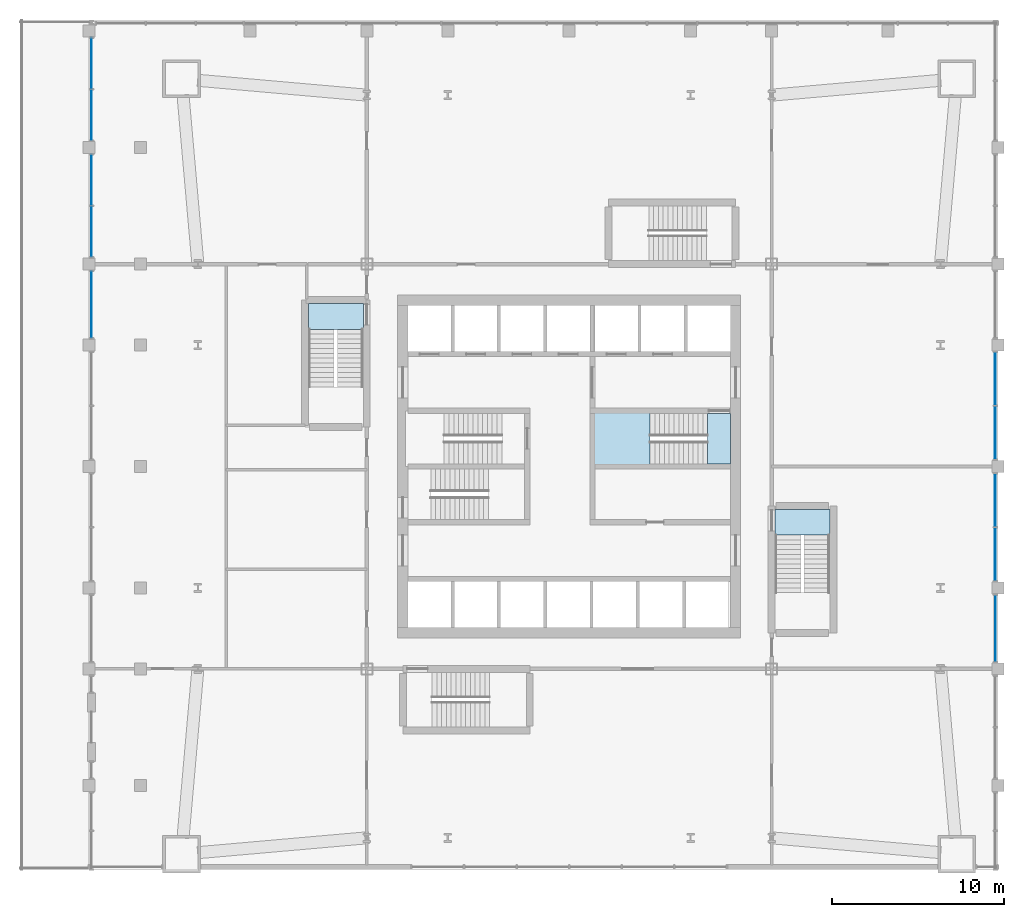
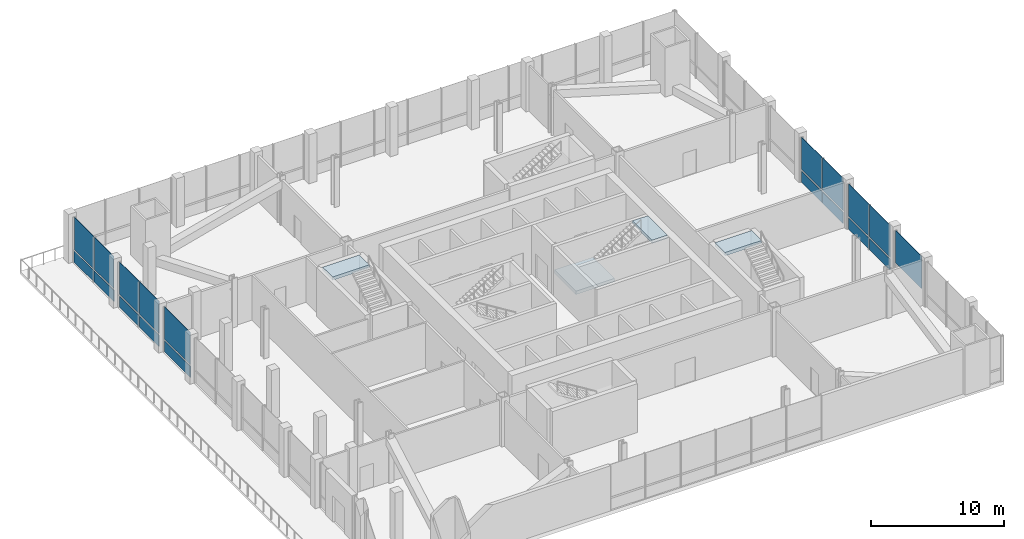
# One storey, part 9 of 15: 19 plates, 4 slabs, 9 elements without a shape of their own.
"""IFC4 building model written with IfcOpenShell, lengths in metres."""

from ifc_helpers import new_model, si_unit, direction, frame, origin, origin_2d, place, context, subcontext, project, spatial, polyline, rectangle, outline, extrude, material, layer, layer_set, type_object, element, aggregate, save


model = new_model("IFC4")

# Units and contexts
model_context = context("Model", 3, precision=1e-05, world=origin(), true_north=direction((0.0, 1.0)))
body_context = subcontext(model_context, "Body", "Model", "MODEL_VIEW")
ifc_project = project(units=[si_unit("LENGTHUNIT", "METRE"), si_unit("AREAUNIT", "SQUARE_METRE"), si_unit("VOLUMEUNIT", "CUBIC_METRE"), si_unit("PLANEANGLEUNIT", "RADIAN"), si_unit("MASSUNIT", "GRAM", prefix="KILO")], contexts=[model_context])

# Site, building, storey
site_placement = place(None, origin())
site = spatial("IfcSite", under=ifc_project, at=site_placement, CompositionType="ELEMENT")
building_placement = place(site_placement, origin())
building = spatial("IfcBuilding", under=site, at=building_placement, Name="Turquesa Mirador Hotel Tower", CompositionType="ELEMENT")
storey_placement = place(building_placement, frame((0.0, 0.0, 16.0)))
storey = spatial("IfcBuildingStorey", under=building, at=storey_placement, Name="L03", CompositionType="ELEMENT", Elevation=16.0)

# Curtain wall, plates
ifc_material_1 = material(Name="Aluminium extrusion", Category="aluminium")
curtain_wall_type = type_object("IfcCurtainWallType", Name="CW-3 PODIUM UPPER CURTAIN WALL", PredefinedType="USERDEFINED", material=ifc_material_1)
curtain_wall_1_placement = place(storey_placement, origin())
curtain_wall_1 = element("IfcCurtainWall", 1, at=curtain_wall_1_placement, inside=storey, type_object=curtain_wall_type, Name="CW-3 PODIUM UPPER CURTAIN WALL L03", ObjectType="CURTAIN WALL", PredefinedType="USERDEFINED")
ifc_material_2 = material(Name="Ceramic-printed spandrel glass on an insulated back pan", Category="glass")
ifc_layer_1 = layer(ifc_material_2, 0.050048828125)
ifc_layer_set_1 = layer_set([ifc_layer_1], Name="CW PANEL SPANDREL CERAMIC")
plate_type_1 = type_object("IfcPlateType", Name="CW PANEL SPANDREL CERAMIC", PredefinedType="CURTAIN_PANEL", material=ifc_layer_set_1)
plate_1_placement = place(storey_placement, frame((79.85009765625, 39.88232421875, 0.0), z_axis=(0.0, 0.0, 1.0), x_axis=(0.0, 1.0, 0.0)))
plate_1 = element("IfcPlate", 2, at=plate_1_placement, type_object=plate_type_1, Name="Panel", PredefinedType="CURTAIN_PANEL", context=body_context, shape_type="SweptSolid", body=[
    extrude(rectangle(XDim=3.090576171875, YDim=0.050048828125, at=origin_2d()), origin(), (0.0, 0.0, 1.0), 1.02490234375),
])
plate_2_placement = place(storey_placement, frame((79.85009765625, 43.037841796875, 0.0), z_axis=(0.0, 0.0, 1.0), x_axis=(0.0, 1.0, 0.0)))
plate_2 = element("IfcPlate", 3, at=plate_2_placement, type_object=plate_type_1, Name="Panel", PredefinedType="CURTAIN_PANEL", context=body_context, shape_type="SweptSolid", body=[
    extrude(rectangle(XDim=3.090576171875, YDim=0.050048828125, at=origin_2d()), origin(), (0.0, 0.0, 1.0), 1.02490234375),
])

curtain_wall_2_placement = place(storey_placement, origin())
curtain_wall_2 = element("IfcCurtainWall", 4, at=curtain_wall_2_placement, inside=storey, type_object=curtain_wall_type, Name="CW-3 PODIUM UPPER CURTAIN WALL L03", ObjectType="CURTAIN WALL", PredefinedType="USERDEFINED")
plate_3_placement = place(storey_placement, frame((79.85009765625, 46.962158203125, 0.0), z_axis=(0.0, 0.0, 1.0), x_axis=(0.0, 1.0, 0.0)))
plate_3 = element("IfcPlate", 5, at=plate_3_placement, type_object=plate_type_1, Name="Panel", PredefinedType="CURTAIN_PANEL", context=body_context, shape_type="SweptSolid", body=[
    extrude(rectangle(XDim=3.090576171875, YDim=0.050048828125, at=origin_2d()), origin(), (0.0, 0.0, 1.0), 1.02490234375),
])
plate_4_placement = place(storey_placement, frame((79.85009765625, 50.11767578125, 0.0), z_axis=(0.0, 0.0, 1.0), x_axis=(0.0, 1.0, 0.0)))
plate_4 = element("IfcPlate", 6, at=plate_4_placement, type_object=plate_type_1, Name="Panel", PredefinedType="CURTAIN_PANEL", context=body_context, shape_type="SweptSolid", body=[
    extrude(rectangle(XDim=3.090576171875, YDim=0.050048828125, at=origin_2d()), origin(), (0.0, 0.0, 1.0), 1.02490234375),
])

curtain_wall_3_placement = place(storey_placement, origin())
curtain_wall_3 = element("IfcCurtainWall", 7, at=curtain_wall_3_placement, inside=storey, type_object=curtain_wall_type, Name="CW-3 PODIUM UPPER CURTAIN WALL L03", ObjectType="CURTAIN WALL", PredefinedType="USERDEFINED")
plate_5_placement = place(storey_placement, frame((27.14990234375, 68.5078125, 0.0), z_axis=(0.0, 0.0, 1.0), x_axis=(0.0, -1.0, 0.0)))
plate_5 = element("IfcPlate", 8, at=plate_5_placement, type_object=plate_type_1, Name="Panel", PredefinedType="CURTAIN_PANEL", context=body_context, shape_type="SweptSolid", body=[
    extrude(rectangle(XDim=2.950439453125, YDim=0.050048828125, at=origin_2d()), origin(), (0.0, 0.0, 1.0), 1.02490234375),
])
plate_6_placement = place(storey_placement, frame((27.14990234375, 65.4921875, 0.0), z_axis=(0.0, 0.0, 1.0), x_axis=(0.0, -1.0, 0.0)))
plate_6 = element("IfcPlate", 9, at=plate_6_placement, type_object=plate_type_1, Name="Panel", PredefinedType="CURTAIN_PANEL", context=body_context, shape_type="SweptSolid", body=[
    extrude(rectangle(XDim=2.950439453125, YDim=0.050048828125, at=origin_2d()), origin(), (0.0, 0.0, 1.0), 1.02490234375),
])

curtain_wall_4_placement = place(storey_placement, origin())
curtain_wall_4 = element("IfcCurtainWall", 10, at=curtain_wall_4_placement, inside=storey, type_object=curtain_wall_type, Name="CW-3 PODIUM UPPER CURTAIN WALL L03", ObjectType="CURTAIN WALL", PredefinedType="USERDEFINED")
plate_7_placement = place(storey_placement, frame((27.14990234375, 61.707763671875, 0.0), z_axis=(0.0, 0.0, 1.0), x_axis=(0.0, -1.0, 0.0)))
plate_7 = element("IfcPlate", 11, at=plate_7_placement, type_object=plate_type_1, Name="Panel", PredefinedType="CURTAIN_PANEL", context=body_context, shape_type="SweptSolid", body=[
    extrude(rectangle(XDim=2.950439453125, YDim=0.050048828125, at=origin_2d()), origin(), (0.0, 0.0, 1.0), 1.02490234375),
])
plate_8_placement = place(storey_placement, frame((27.14990234375, 58.692138671875, 0.0), z_axis=(0.0, 0.0, 1.0), x_axis=(0.0, -1.0, 0.0)))
plate_8 = element("IfcPlate", 12, at=plate_8_placement, type_object=plate_type_1, Name="Panel", PredefinedType="CURTAIN_PANEL", context=body_context, shape_type="SweptSolid", body=[
    extrude(rectangle(XDim=2.950439453125, YDim=0.050048828125, at=origin_2d()), origin(), (0.0, 0.0, 1.0), 1.02490234375),
])

# Curtain wall, plate
curtain_wall_5_placement = place(storey_placement, origin())
curtain_wall_5 = element("IfcCurtainWall", 13, at=curtain_wall_5_placement, inside=storey, type_object=curtain_wall_type, Name="CW-3 PODIUM UPPER CURTAIN WALL L03", ObjectType="CURTAIN WALL", PredefinedType="USERDEFINED")
plate_9_placement = place(storey_placement, frame((27.14990234375, 54.43994140625, 0.0), z_axis=(0.0, 0.0, 1.0), x_axis=(0.0, -1.0, 0.0)))
plate_9 = element("IfcPlate", 14, at=plate_9_placement, type_object=plate_type_1, Name="Panel", PredefinedType="CURTAIN_PANEL", context=body_context, shape_type="SweptSolid", body=[
    extrude(rectangle(XDim=3.885986328125, YDim=0.050048828125, at=origin_2d()), origin(), (0.0, 0.0, 1.0), 1.02490234375),
])

curtain_wall_6_placement = place(storey_placement, origin())
curtain_wall_6 = element("IfcCurtainWall", 15, at=curtain_wall_6_placement, inside=storey, type_object=curtain_wall_type, Name="CW-3 PODIUM UPPER CURTAIN WALL L03", ObjectType="CURTAIN WALL", PredefinedType="USERDEFINED")
ifc_material_3 = material(Name="Ceramic-fritted laminated glass", Category="glass")
ifc_layer_2 = layer(ifc_material_3, 0.031982421875)
ifc_layer_set_2 = layer_set([ifc_layer_2], Name="CW PANEL VISION FRITTED")
plate_type_2 = type_object("IfcPlateType", Name="CW PANEL VISION FRITTED", PredefinedType="CURTAIN_PANEL", material=ifc_layer_set_2)
plate_10_placement = place(storey_placement, frame((79.85009765625, 35.56005859375, 1.175048828125), z_axis=(0.0, 0.0, 1.0), x_axis=(0.0, 1.0, 0.0)))
plate_10 = element("IfcPlate", 16, at=plate_10_placement, type_object=plate_type_2, Name="Panel", PredefinedType="CURTAIN_PANEL", context=body_context, shape_type="SweptSolid", body=[
    extrude(rectangle(XDim=3.885986328125, YDim=0.031982421875, at=origin_2d()), origin(), (0.0, 0.0, 1.0), 2.97509765625),
])
aggregate(curtain_wall_6, [plate_10])

# Plate
plate_11_placement = place(storey_placement, frame((79.85009765625, 39.88232421875, 1.175048828125), z_axis=(0.0, 0.0, 1.0), x_axis=(0.0, 1.0, 0.0)))
plate_11 = element("IfcPlate", 17, at=plate_11_placement, type_object=plate_type_2, Name="Panel", PredefinedType="CURTAIN_PANEL", context=body_context, shape_type="SweptSolid", body=[
    extrude(rectangle(XDim=3.090576171875, YDim=0.031982421875, at=origin_2d()), origin(), (0.0, 0.0, 1.0), 2.97509765625),
])

plate_12_placement = place(storey_placement, frame((79.85009765625, 43.037841796875, 1.175048828125), z_axis=(0.0, 0.0, 1.0), x_axis=(0.0, 1.0, 0.0)))
plate_12 = element("IfcPlate", 18, at=plate_12_placement, type_object=plate_type_2, Name="Panel", PredefinedType="CURTAIN_PANEL", context=body_context, shape_type="SweptSolid", body=[
    extrude(rectangle(XDim=3.090576171875, YDim=0.031982421875, at=origin_2d()), origin(), (0.0, 0.0, 1.0), 2.97509765625),
])

aggregate(curtain_wall_1, [plate_1, plate_11, plate_2, plate_12])

plate_13_placement = place(storey_placement, frame((79.85009765625, 46.962158203125, 1.175048828125), z_axis=(0.0, 0.0, 1.0), x_axis=(0.0, 1.0, 0.0)))
plate_13 = element("IfcPlate", 19, at=plate_13_placement, type_object=plate_type_2, Name="Panel", PredefinedType="CURTAIN_PANEL", context=body_context, shape_type="SweptSolid", body=[
    extrude(rectangle(XDim=3.090576171875, YDim=0.031982421875, at=origin_2d()), origin(), (0.0, 0.0, 1.0), 2.97509765625),
])

plate_14_placement = place(storey_placement, frame((79.85009765625, 50.11767578125, 1.175048828125), z_axis=(0.0, 0.0, 1.0), x_axis=(0.0, 1.0, 0.0)))
plate_14 = element("IfcPlate", 20, at=plate_14_placement, type_object=plate_type_2, Name="Panel", PredefinedType="CURTAIN_PANEL", context=body_context, shape_type="SweptSolid", body=[
    extrude(rectangle(XDim=3.090576171875, YDim=0.031982421875, at=origin_2d()), origin(), (0.0, 0.0, 1.0), 2.97509765625),
])

aggregate(curtain_wall_2, [plate_3, plate_13, plate_4, plate_14])

plate_15_placement = place(storey_placement, frame((27.14990234375, 68.5078125, 1.175048828125), z_axis=(0.0, 0.0, 1.0), x_axis=(0.0, -1.0, 0.0)))
plate_15 = element("IfcPlate", 21, at=plate_15_placement, type_object=plate_type_2, Name="Panel", PredefinedType="CURTAIN_PANEL", context=body_context, shape_type="SweptSolid", body=[
    extrude(rectangle(XDim=2.950439453125, YDim=0.031982421875, at=origin_2d()), origin(), (0.0, 0.0, 1.0), 2.97509765625),
])

plate_16_placement = place(storey_placement, frame((27.14990234375, 65.4921875, 1.175048828125), z_axis=(0.0, 0.0, 1.0), x_axis=(0.0, -1.0, 0.0)))
plate_16 = element("IfcPlate", 22, at=plate_16_placement, type_object=plate_type_2, Name="Panel", PredefinedType="CURTAIN_PANEL", context=body_context, shape_type="SweptSolid", body=[
    extrude(rectangle(XDim=2.950439453125, YDim=0.031982421875, at=origin_2d()), origin(), (0.0, 0.0, 1.0), 2.97509765625),
])

aggregate(curtain_wall_3, [plate_5, plate_15, plate_6, plate_16])

plate_17_placement = place(storey_placement, frame((27.14990234375, 61.707763671875, 1.175048828125), z_axis=(0.0, 0.0, 1.0), x_axis=(0.0, -1.0, 0.0)))
plate_17 = element("IfcPlate", 23, at=plate_17_placement, type_object=plate_type_2, Name="Panel", PredefinedType="CURTAIN_PANEL", context=body_context, shape_type="SweptSolid", body=[
    extrude(rectangle(XDim=2.950439453125, YDim=0.031982421875, at=origin_2d()), origin(), (0.0, 0.0, 1.0), 2.97509765625),
])

plate_18_placement = place(storey_placement, frame((27.14990234375, 58.692138671875, 1.175048828125), z_axis=(0.0, 0.0, 1.0), x_axis=(0.0, -1.0, 0.0)))
plate_18 = element("IfcPlate", 24, at=plate_18_placement, type_object=plate_type_2, Name="Panel", PredefinedType="CURTAIN_PANEL", context=body_context, shape_type="SweptSolid", body=[
    extrude(rectangle(XDim=2.950439453125, YDim=0.031982421875, at=origin_2d()), origin(), (0.0, 0.0, 1.0), 2.97509765625),
])

aggregate(curtain_wall_4, [plate_7, plate_17, plate_8, plate_18])

plate_19_placement = place(storey_placement, frame((27.14990234375, 54.43994140625, 1.175048828125), z_axis=(0.0, 0.0, 1.0), x_axis=(0.0, -1.0, 0.0)))
plate_19 = element("IfcPlate", 25, at=plate_19_placement, type_object=plate_type_2, Name="Panel", PredefinedType="CURTAIN_PANEL", context=body_context, shape_type="SweptSolid", body=[
    extrude(rectangle(XDim=3.885986328125, YDim=0.031982421875, at=origin_2d()), origin(), (0.0, 0.0, 1.0), 2.97509765625),
])

aggregate(curtain_wall_5, [plate_9, plate_19])

# Stair, slabs
ifc_material_4 = material(Name="Concrete C35/45", Category="concrete")
stair_type_1 = type_object("IfcStairType", Name="ESCAPE STAIR CORE", PredefinedType="HALF_TURN_STAIR", material=ifc_material_4)
stair_1_placement = place(storey_placement, origin())
stair_1 = element("IfcStair", 26, at=stair_1_placement, inside=storey, type_object=stair_type_1, Name="Stair ST3 L03 to L04", PredefinedType="HALF_TURN_STAIR")
ifc_material_5 = material(Name="Concrete C35/45", Category="concrete")
ifc_layer_3 = layer(ifc_material_5, 0.300048828125)
ifc_layer_set_3 = layer_set([ifc_layer_3], Name="STAIR LANDING 300")
slab_type = type_object("IfcSlabType", Name="STAIR LANDING 300", PredefinedType="LANDING", material=ifc_layer_set_3)
slab_1_placement = place(storey_placement, frame((0.0, 0.0, 1.949951171875)))
slab_1 = element("IfcSlab", 27, at=slab_1_placement, type_object=slab_type, Name="ST3 landing 1", PredefinedType="LANDING", context=body_context, shape_type="SweptSolid", body=[
    extrude(outline(polyline([(56.35009765625, 45.0), (59.7099609375, 45.0), (59.7099609375, 48.25), (56.35009765625, 48.25), (56.35009765625, 45.0)])), origin(), (0.0, 0.0, 1.0), 0.300048828125),
])
slab_2_placement = place(storey_placement, frame((0.0, 0.0, 4.199951171875)))
slab_2 = element("IfcSlab", 28, at=slab_2_placement, type_object=slab_type, Name="ST3 landing 2", PredefinedType="LANDING", context=body_context, shape_type="SweptSolid", body=[
    extrude(outline(polyline([(63.070068359375, 45.14990234375), (64.39990234375, 45.14990234375), (64.39990234375, 48.10009765625), (63.070068359375, 48.10009765625), (63.070068359375, 45.14990234375)])), origin(), (0.0, 0.0, 1.0), 0.300048828125),
])
aggregate(stair_1, [slab_1, slab_2])

# Stair, slab
ifc_material_6 = material(Name="Concrete C35/45", Category="concrete")
stair_type_2 = type_object("IfcStairType", Name="ESCAPE STAIR PODIUM", PredefinedType="HALF_TURN_STAIR", material=ifc_material_6)
stair_2_placement = place(storey_placement, origin())
stair_2 = element("IfcStair", 29, at=stair_2_placement, inside=storey, type_object=stair_type_2, Name="Stair PS3 L03 to L04", PredefinedType="HALF_TURN_STAIR")
slab_3_placement = place(storey_placement, frame((0.0, 0.0, 4.199951171875)))
slab_3 = element("IfcSlab", 30, at=slab_3_placement, type_object=slab_type, Name="PS3 landing 2", PredefinedType="LANDING", context=body_context, shape_type="SweptSolid", body=[
    extrude(outline(polyline([(67.0, 41.0), (70.199951171875, 41.0), (70.199951171875, 42.5), (67.0, 42.5), (67.0, 41.0)])), origin(), (0.0, 0.0, 1.0), 0.300048828125),
])
aggregate(stair_2, [slab_3])

stair_3_placement = place(storey_placement, origin())
stair_3 = element("IfcStair", 31, at=stair_3_placement, inside=storey, type_object=stair_type_2, Name="Stair PS4 L03 to L04", PredefinedType="HALF_TURN_STAIR")
slab_4_placement = place(storey_placement, frame((0.0, 0.0, 4.199951171875)))
slab_4 = element("IfcSlab", 32, at=slab_4_placement, type_object=slab_type, Name="PS4 landing 2", PredefinedType="LANDING", context=body_context, shape_type="SweptSolid", body=[
    extrude(outline(polyline([(39.800048828125, 53.0), (43.0, 53.0), (43.0, 54.5), (39.800048828125, 54.5), (39.800048828125, 53.0)])), origin(), (0.0, 0.0, 1.0), 0.300048828125),
])
aggregate(stair_3, [slab_4])

save(model, "model.ifc")
